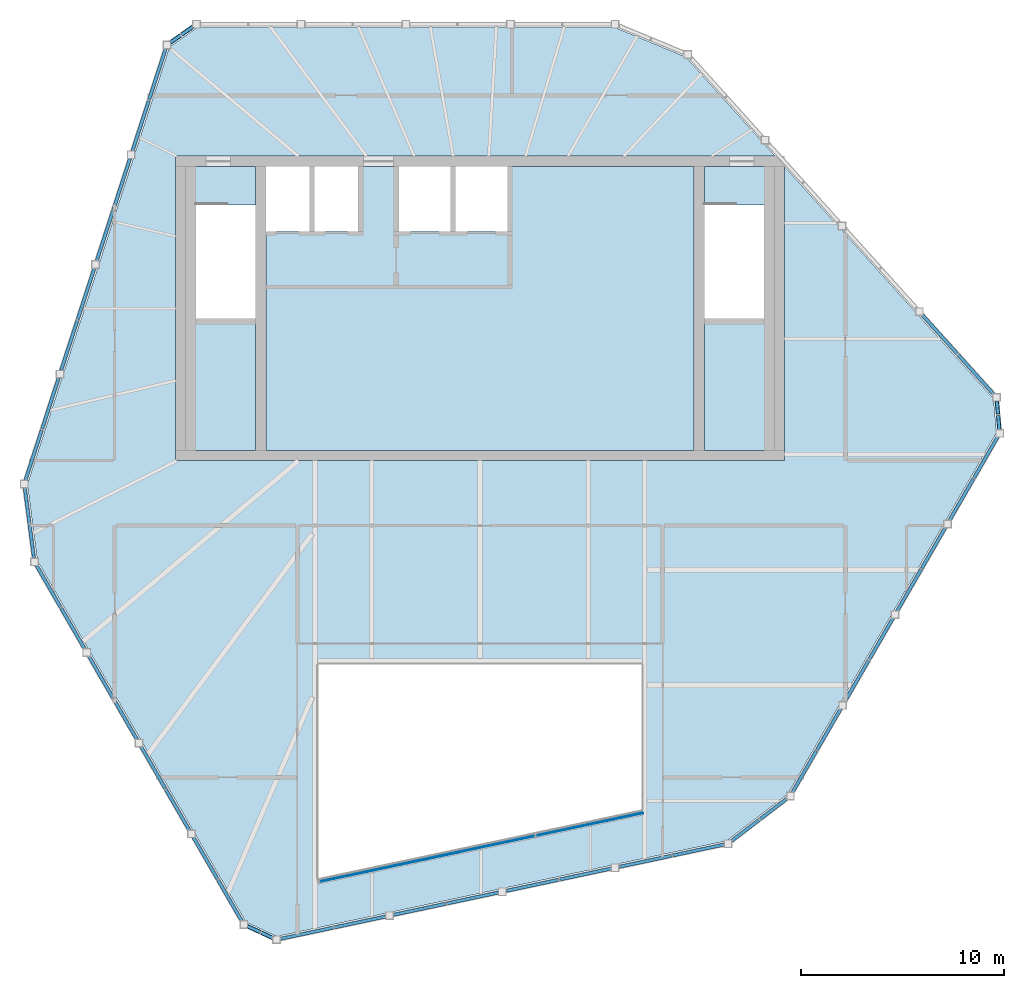
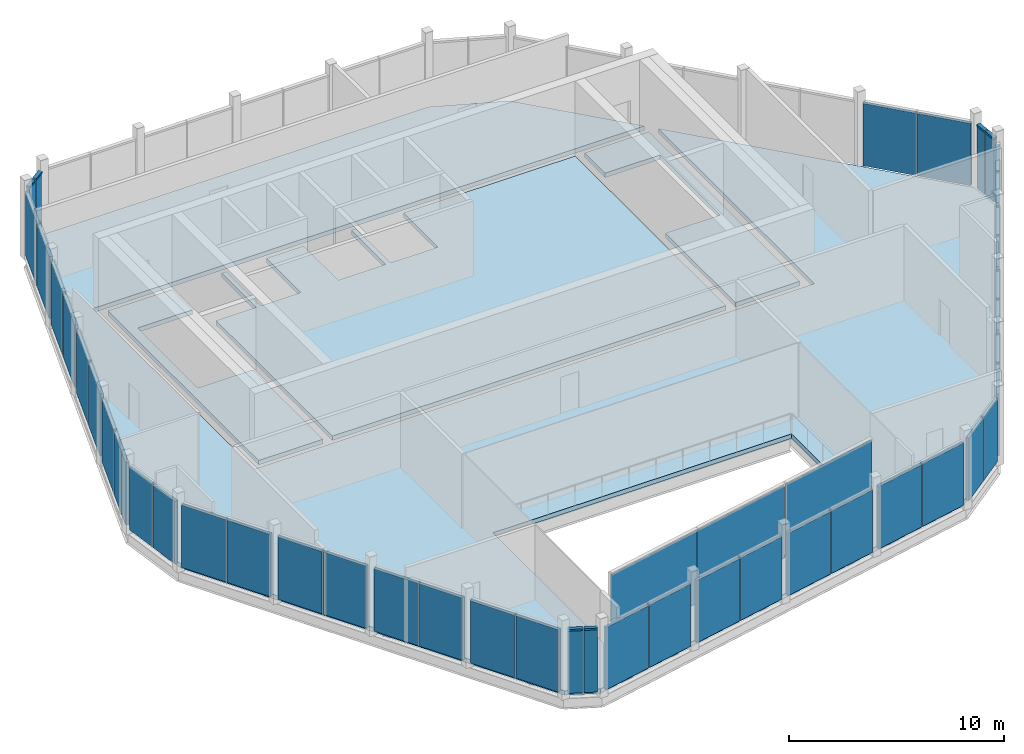
# One storey, part 7 of 10: 47 plates, 6 members, 4 slabs, 11 elements without a shape of their own.
"""IFC4 building model written with IfcOpenShell, lengths in metres."""

from ifc_helpers import new_model, si_unit, direction, frame, origin, origin_2d, place, context, subcontext, project, spatial, polyline, rectangle, outline, extrude, material, layer, layer_set, material_profile, profile_set, type_object, element, aggregate, save


model = new_model("IFC4")

# Units and contexts
model_context = context("Model", 3, precision=1e-05, world=origin(), true_north=direction((0.0, 1.0)))
body_context = subcontext(model_context, "Body", "Model", "MODEL_VIEW")
ifc_project = project(units=[si_unit("LENGTHUNIT", "METRE"), si_unit("AREAUNIT", "SQUARE_METRE"), si_unit("VOLUMEUNIT", "CUBIC_METRE"), si_unit("PLANEANGLEUNIT", "RADIAN"), si_unit("MASSUNIT", "GRAM", prefix="KILO")], contexts=[model_context])

# Site, building, storey
site_placement = place(None, origin())
site = spatial("IfcSite", under=ifc_project, at=site_placement, CompositionType="ELEMENT")
building_placement = place(site_placement, origin())
building = spatial("IfcBuilding", under=site, at=building_placement, Name="Isthmus Gate Tower", CompositionType="ELEMENT")
storey_placement = place(building_placement, frame((0.0, 0.0, 311.10009765625)))
storey = spatial("IfcBuildingStorey", under=building, at=storey_placement, Name="C3", CompositionType="ELEMENT", Elevation=311.10009765625)

# Curtain wall, members
ifc_material_1 = material(Name="Aluminium, pale champagne anodised", Category="aluminium")
ifc_layer_1 = layer(ifc_material_1, 0.199951171875)
ifc_layer_set_1 = layer_set([ifc_layer_1], Name="CW-2 LOUVRE CURTAIN WALL 200 DEEP")
curtain_wall_type_1 = type_object("IfcCurtainWallType", Name="CW-2 LOUVRE CURTAIN WALL 200 DEEP", PredefinedType="NOTDEFINED", material=ifc_layer_set_1)
curtain_wall_1_placement = place(storey_placement, origin())
curtain_wall_1 = element("IfcCurtainWall", 1, at=curtain_wall_1_placement, inside=storey, type_object=curtain_wall_type_1, Name="CW-2 E01 C3", PredefinedType="NOTDEFINED")
ifc_material_2 = material(Name="Aluminium, pale champagne anodised", Category="aluminium")
ifc_material_profile = material_profile(ifc_material_2, rectangle(XDim=0.199951171875, YDim=0.10009765625, at=origin_2d()), Name="200x100")
ifc_profile_set = profile_set([ifc_material_profile], Name="Aluminium, pale champagne anodised")
member_type = type_object("IfcMemberType", Name="CW-2 TRANSOM 200 X 100", PredefinedType="USERDEFINED", material=ifc_profile_set)
member_1_placement = place(storey_placement, frame((-14.135498046875, 21.383056640625, 3.583984375), z_axis=(-0.818010863048, -0.575202771148, 0.0), x_axis=(0.575202771148, -0.818010863048, 0.0)))
member_1 = element("IfcMember", 2, at=member_1_placement, type_object=member_type, Name="CW-2 transom", ObjectType="TRANSOM", PredefinedType="USERDEFINED", context=body_context, shape_type="SweptSolid", body=[
    extrude(rectangle(XDim=0.199951171875, YDim=0.10009765625, at=origin_2d()), origin(), (0.0, 0.0, 1.0), 0.686767578125),
])
member_2_placement = place(storey_placement, frame((-14.74609375, 20.953369140625, 3.583984375), z_axis=(-0.817948972464, -0.575290777299, 0.0), x_axis=(0.575290777299, -0.817948972464, 0.0)))
member_2 = element("IfcMember", 3, at=member_2_placement, type_object=member_type, Name="CW-2 transom", ObjectType="TRANSOM", PredefinedType="USERDEFINED", context=body_context, shape_type="SweptSolid", body=[
    extrude(rectangle(XDim=0.199951171875, YDim=0.10009765625, at=origin_2d()), origin(), (0.0, 0.0, 1.0), 0.626708984375),
])

curtain_wall_2_placement = place(storey_placement, origin())
curtain_wall_2 = element("IfcCurtainWall", 4, at=curtain_wall_2_placement, inside=storey, type_object=curtain_wall_type_1, Name="CW-2 E05 C3", PredefinedType="NOTDEFINED")
member_3_placement = place(storey_placement, frame((-11.450439453125, -22.933349609375, 3.583984375), z_axis=(0.907198069931, -0.420703769788, 0.0), x_axis=(0.420703769788, 0.907198069931, 0.0)))
member_3 = element("IfcMember", 5, at=member_3_placement, type_object=member_type, Name="CW-2 transom", ObjectType="TRANSOM", PredefinedType="USERDEFINED", context=body_context, shape_type="SweptSolid", body=[
    extrude(rectangle(XDim=0.199951171875, YDim=0.10009765625, at=origin_2d()), origin(), (0.0, 0.0, 1.0), 0.6865234375),
])
member_4_placement = place(storey_placement, frame((-10.773193359375, -23.247314453125, 3.583984375), z_axis=(0.90720547109, -0.420687809694, 0.0), x_axis=(0.420687809694, 0.90720547109, 0.0)))
member_4 = element("IfcMember", 6, at=member_4_placement, type_object=member_type, Name="CW-2 transom", ObjectType="TRANSOM", PredefinedType="USERDEFINED", context=body_context, shape_type="SweptSolid", body=[
    extrude(rectangle(XDim=0.199951171875, YDim=0.10009765625, at=origin_2d()), origin(), (0.0, 0.0, 1.0), 0.626708984375),
])

curtain_wall_3_placement = place(storey_placement, origin())
curtain_wall_3 = element("IfcCurtainWall", 7, at=curtain_wall_3_placement, inside=storey, type_object=curtain_wall_type_1, Name="CW-2 E09 C3", PredefinedType="NOTDEFINED")
member_5_placement = place(storey_placement, frame((25.5859375, 1.55029296875, 3.583984375), z_axis=(-0.089253213464, 0.996008967774, 0.0), x_axis=(-0.996008967774, -0.089253213464, 0.0)))
member_5 = element("IfcMember", 8, at=member_5_placement, type_object=member_type, Name="CW-2 transom", ObjectType="TRANSOM", PredefinedType="USERDEFINED", context=body_context, shape_type="SweptSolid", body=[
    extrude(rectangle(XDim=0.199951171875, YDim=0.10009765625, at=origin_2d()), origin(), (0.0, 0.0, 1.0), 0.6865234375),
])
member_6_placement = place(storey_placement, frame((25.519287109375, 2.2939453125, 3.583984375), z_axis=(-0.089235685941, 0.996010538275, 0.0), x_axis=(-0.996010538275, -0.089235685941, 0.0)))
member_6 = element("IfcMember", 9, at=member_6_placement, type_object=member_type, Name="CW-2 transom", ObjectType="TRANSOM", PredefinedType="USERDEFINED", context=body_context, shape_type="SweptSolid", body=[
    extrude(rectangle(XDim=0.199951171875, YDim=0.10009765625, at=origin_2d()), origin(), (0.0, 0.0, 1.0), 0.62646484375),
])

# Slabs
ifc_material_3 = material(Name="Concrete f'c 40 MPa", Category="concrete")
ifc_layer_2 = layer(ifc_material_3, 0.25)
ifc_layer_set_2 = layer_set([ifc_layer_2], Name="CORE FLOOR SLAB 250")
slab_type_1 = type_object("IfcSlabType", Name="CORE FLOOR SLAB 250", PredefinedType="FLOOR", material=ifc_layer_set_2)
slab_1_placement = place(storey_placement, frame((0.0, 0.0, -0.25)))
element("IfcSlab", 10, at=slab_1_placement, inside=storey, type_object=slab_type_1, Name="C3 core floor", PredefinedType="FLOOR", context=body_context, shape_type="SweptSolid", body=[
    extrude(outline(polyline([(-11.050048828125, 0.5), (-11.050048828125, 7.0), (-14.0, 7.0), (-14.0, 12.597900390625), (-11.050048828125, 12.597900390625), (-11.050048828125, 14.5), (-14.5, 14.5), (-14.5, 0.5), (-11.050048828125, 0.5)])), origin(), (0.0, 0.0, 1.0), 0.25),
])
slab_2_placement = place(storey_placement, frame((0.0, 0.0, -0.25)))
element("IfcSlab", 11, at=slab_2_placement, inside=storey, type_object=slab_type_1, Name="C3 core floor", PredefinedType="FLOOR", context=body_context, shape_type="SweptSolid", body=[
    extrude(outline(polyline([(10.550048828125, 14.5), (1.35009765625, 14.5), (1.35009765625, 11.300048828125), (-1.199951171875, 11.300048828125), (-1.199951171875, 14.5), (-1.449951171875, 14.5), (-1.449951171875, 11.300048828125), (-4.0, 11.300048828125), (-4.0, 14.5), (-6.0, 14.5), (-6.0, 11.300048828125), (-8.14990234375, 11.300048828125), (-8.14990234375, 14.5), (-8.39990234375, 14.5), (-8.39990234375, 11.300048828125), (-10.550048828125, 11.300048828125), (-10.550048828125, 0.5), (10.550048828125, 0.5), (10.550048828125, 14.5)])), origin(), (0.0, 0.0, 1.0), 0.25),
])
slab_3_placement = place(storey_placement, frame((0.0, 0.0, -0.25)))
element("IfcSlab", 12, at=slab_3_placement, inside=storey, type_object=slab_type_1, Name="C3 core floor", PredefinedType="FLOOR", context=body_context, shape_type="SweptSolid", body=[
    extrude(outline(polyline([(11.050048828125, 14.5), (11.050048828125, 12.597900390625), (14.0, 12.597900390625), (14.0, 7.0), (11.050048828125, 7.0), (11.050048828125, 0.5), (14.5, 0.5), (14.5, 14.5), (11.050048828125, 14.5)])), origin(), (0.0, 0.0, 1.0), 0.25),
])
ifc_material_4 = material(Name="Concrete f'c 40 MPa", Category="concrete")
ifc_layer_3 = layer(ifc_material_4, 0.25)
ifc_layer_set_3 = layer_set([ifc_layer_3], Name="CROWN PLANT FLOOR SLAB 250")
slab_type_2 = type_object("IfcSlabType", Name="CROWN PLANT FLOOR SLAB 250", PredefinedType="FLOOR", material=ifc_layer_set_3)
slab_4_placement = place(storey_placement, frame((0.0, 0.0, -0.25)))
element("IfcSlab", 13, at=slab_4_placement, inside=storey, type_object=slab_type_2, Name="str-slab-C3-1", PredefinedType="FLOOR", context=body_context, shape_type="SweptSolid", body=[
    extrude(outline(polyline([(10.1455078125, 19.88818359375), (14.546875, 15.0), (-15.0, 15.0), (-15.0, 0.0), (15.0, 0.0), (15.0, 14.496826171875), (25.30029296875, 3.05712890625), (25.45068359375, 1.381591796875), (15.174560546875, -16.416748046875), (12.15087890625, -18.73046875), (-10.00244140625, -23.439208984375), (-11.52880859375, -22.731689453125), (-21.8046875, -4.93310546875), (-22.29638671875, -1.15771484375), (-15.297607421875, 20.382080078125), (-13.921875, 21.35009765625), (6.630126953125, 21.35009765625), (10.1455078125, 19.88818359375)]), holes=[polyline([(-8.0, -20.611083984375), (8.0, -17.210205078125), (8.0, -10.0), (-8.0, -10.0), (-8.0, -20.611083984375)])]), origin(), (0.0, 0.0, 1.0), 0.25),
])

# Plate
ifc_material_5 = material(Name="Aluminium louvre blades, pale champagne anodised", Category="aluminium")
ifc_layer_4 = layer(ifc_material_5, 0.159912109375)
ifc_layer_set_4 = layer_set([ifc_layer_4], Name="CW-2 LOUVRE PANEL 160")
plate_type_1 = type_object("IfcPlateType", Name="CW-2 LOUVRE PANEL 160", PredefinedType="CURTAIN_PANEL", material=ifc_layer_set_4)
plate_1_placement = place(storey_placement, frame((-14.416259765625, 21.185546875, -0.000244140625), z_axis=(0.0, 0.0, 1.0), x_axis=(-0.81785959165, -0.57541783805, 0.0)))
plate_1 = element("IfcPlate", 14, at=plate_1_placement, type_object=plate_type_1, Name="CW-2 louvre panel", PredefinedType="CURTAIN_PANEL", context=body_context, shape_type="SweptSolid", body=[
    extrude(rectangle(XDim=0.686767578125, YDim=0.159912109375, at=origin_2d()), origin(), (0.0, 0.0, 1.0), 3.5341796875),
])

plate_2_placement = place(storey_placement, frame((-15.00244140625, 20.773193359375, -0.000244140625), z_axis=(0.0, 0.0, 1.0), x_axis=(-0.81785959165, -0.57541783805, 0.0)))
plate_2 = element("IfcPlate", 15, at=plate_2_placement, type_object=plate_type_1, Name="CW-2 louvre panel", PredefinedType="CURTAIN_PANEL", context=body_context, shape_type="SweptSolid", body=[
    extrude(rectangle(XDim=0.626708984375, YDim=0.159912109375, at=origin_2d()), origin(), (0.0, 0.0, 1.0), 3.5341796875),
])

aggregate(curtain_wall_1, [member_1, plate_1, member_2, plate_2])

# Curtain wall, plates
curtain_wall_4_placement = place(storey_placement, origin())
curtain_wall_4 = element("IfcCurtainWall", 16, at=curtain_wall_4_placement, inside=storey, type_object=curtain_wall_type_1, Name="CW-2 E02 C3", PredefinedType="NOTDEFINED")
plate_3_placement = place(storey_placement, frame((-15.895263671875, 19.028076171875, -0.000244140625), z_axis=(0.0, 0.0, 1.0), x_axis=(-0.309016994375, -0.951056516295, 0.0)))
plate_3 = element("IfcPlate", 17, at=plate_3_placement, type_object=plate_type_1, Name="CW-2 louvre panel", PredefinedType="CURTAIN_PANEL", context=body_context, shape_type="SweptSolid", body=[
    extrude(rectangle(XDim=2.638427734375, YDim=0.159912109375, at=origin_2d()), origin(), (0.0, 0.0, 1.0), 3.5341796875),
])
plate_4_placement = place(storey_placement, frame((-16.719970703125, 16.490234375, -0.000244140625), z_axis=(0.0, 0.0, 1.0), x_axis=(-0.309016994375, -0.951056516295, 0.0)))
plate_4 = element("IfcPlate", 18, at=plate_4_placement, type_object=plate_type_1, Name="CW-2 louvre panel", PredefinedType="CURTAIN_PANEL", context=body_context, shape_type="SweptSolid", body=[
    extrude(rectangle(XDim=2.578369140625, YDim=0.159912109375, at=origin_2d()), origin(), (0.0, 0.0, 1.0), 3.5341796875),
])
plate_5_placement = place(storey_placement, frame((-17.651611328125, 13.623046875, -0.000244140625), z_axis=(0.0, 0.0, 1.0), x_axis=(-0.309016994375, -0.951056516295, 0.0)))
plate_5 = element("IfcPlate", 19, at=plate_5_placement, type_object=plate_type_1, Name="CW-2 louvre panel", PredefinedType="CURTAIN_PANEL", context=body_context, shape_type="SweptSolid", body=[
    extrude(rectangle(XDim=2.638427734375, YDim=0.159912109375, at=origin_2d()), origin(), (0.0, 0.0, 1.0), 3.5341796875),
])
plate_6_placement = place(storey_placement, frame((-18.47607421875, 11.08544921875, -0.000244140625), z_axis=(0.0, 0.0, 1.0), x_axis=(-0.309016994375, -0.951056516295, 0.0)))
plate_6 = element("IfcPlate", 20, at=plate_6_placement, type_object=plate_type_1, Name="CW-2 louvre panel", PredefinedType="CURTAIN_PANEL", context=body_context, shape_type="SweptSolid", body=[
    extrude(rectangle(XDim=2.578369140625, YDim=0.159912109375, at=origin_2d()), origin(), (0.0, 0.0, 1.0), 3.5341796875),
])
plate_7_placement = place(storey_placement, frame((-19.40771484375, 8.21826171875, -0.000244140625), z_axis=(0.0, 0.0, 1.0), x_axis=(-0.309016994375, -0.951056516295, 0.0)))
plate_7 = element("IfcPlate", 21, at=plate_7_placement, type_object=plate_type_1, Name="CW-2 louvre panel", PredefinedType="CURTAIN_PANEL", context=body_context, shape_type="SweptSolid", body=[
    extrude(rectangle(XDim=2.638427734375, YDim=0.159912109375, at=origin_2d()), origin(), (0.0, 0.0, 1.0), 3.5341796875),
])
plate_8_placement = place(storey_placement, frame((-20.232177734375, 5.6806640625, -0.000244140625), z_axis=(0.0, 0.0, 1.0), x_axis=(-0.309016994375, -0.951056516295, 0.0)))
plate_8 = element("IfcPlate", 22, at=plate_8_placement, type_object=plate_type_1, Name="CW-2 louvre panel", PredefinedType="CURTAIN_PANEL", context=body_context, shape_type="SweptSolid", body=[
    extrude(rectangle(XDim=2.578369140625, YDim=0.159912109375, at=origin_2d()), origin(), (0.0, 0.0, 1.0), 3.5341796875),
])
plate_9_placement = place(storey_placement, frame((-21.163818359375, 2.8134765625, -0.000244140625), z_axis=(0.0, 0.0, 1.0), x_axis=(-0.309016994375, -0.951056516295, 0.0)))
plate_9 = element("IfcPlate", 23, at=plate_9_placement, type_object=plate_type_1, Name="CW-2 louvre panel", PredefinedType="CURTAIN_PANEL", context=body_context, shape_type="SweptSolid", body=[
    extrude(rectangle(XDim=2.638427734375, YDim=0.159912109375, at=origin_2d()), origin(), (0.0, 0.0, 1.0), 3.5341796875),
])
plate_10_placement = place(storey_placement, frame((-21.98828125, 0.275634765625, -0.000244140625), z_axis=(0.0, 0.0, 1.0), x_axis=(-0.309016994375, -0.951056516295, 0.0)))
plate_10 = element("IfcPlate", 24, at=plate_10_placement, type_object=plate_type_1, Name="CW-2 louvre panel", PredefinedType="CURTAIN_PANEL", context=body_context, shape_type="SweptSolid", body=[
    extrude(rectangle(XDim=2.578369140625, YDim=0.159912109375, at=origin_2d()), origin(), (0.0, 0.0, 1.0), 3.5341796875),
])
aggregate(curtain_wall_4, [plate_3, plate_4, plate_5, plate_6, plate_7, plate_8, plate_9, plate_10])

curtain_wall_5_placement = place(storey_placement, origin())
curtain_wall_5 = element("IfcCurtainWall", 25, at=curtain_wall_5_placement, inside=storey, type_object=curtain_wall_type_1, Name="CW-2 E03 C3", PredefinedType="NOTDEFINED")
plate_11_placement = place(storey_placement, frame((-22.3115234375, -2.2041015625, -0.000244140625), z_axis=(0.0, 0.0, 1.0), x_axis=(0.129164534, -0.991623175988, 0.0)))
plate_11 = element("IfcPlate", 26, at=plate_11_placement, type_object=plate_type_1, Name="CW-2 louvre panel", PredefinedType="CURTAIN_PANEL", context=body_context, shape_type="SweptSolid", body=[
    extrude(rectangle(XDim=1.732421875, YDim=0.159912109375, at=origin_2d()), origin(), (0.0, 0.0, 1.0), 3.5341796875),
])
plate_12_placement = place(storey_placement, frame((-22.083740234375, -3.95166015625, -0.000244140625), z_axis=(0.0, 0.0, 1.0), x_axis=(0.129164534, -0.991623175988, 0.0)))
plate_12 = element("IfcPlate", 27, at=plate_12_placement, type_object=plate_type_1, Name="CW-2 louvre panel", PredefinedType="CURTAIN_PANEL", context=body_context, shape_type="SweptSolid", body=[
    extrude(rectangle(XDim=1.67236328125, YDim=0.159912109375, at=origin_2d()), origin(), (0.0, 0.0, 1.0), 3.5341796875),
])
aggregate(curtain_wall_5, [plate_11, plate_12])

curtain_wall_6_placement = place(storey_placement, origin())
curtain_wall_6 = element("IfcCurtainWall", 28, at=curtain_wall_6_placement, inside=storey, type_object=curtain_wall_type_1, Name="CW-2 E04 C3", PredefinedType="NOTDEFINED")
plate_13_placement = place(storey_placement, frame((-21.254150390625, -6.186767578125, -0.000244140625), z_axis=(0.0, 0.0, 1.0), x_axis=(0.5, -0.866025403784, 0.0)))
plate_13 = element("IfcPlate", 29, at=plate_13_placement, type_object=plate_type_1, Name="CW-2 louvre panel", PredefinedType="CURTAIN_PANEL", context=body_context, shape_type="SweptSolid", body=[
    extrude(rectangle(XDim=2.37548828125, YDim=0.159912109375, at=origin_2d()), origin(), (0.0, 0.0, 1.0), 3.5341796875),
])
plate_14_placement = place(storey_placement, frame((-20.05126953125, -8.27001953125, -0.000244140625), z_axis=(0.0, 0.0, 1.0), x_axis=(0.5, -0.866025403784, 0.0)))
plate_14 = element("IfcPlate", 30, at=plate_14_placement, type_object=plate_type_1, Name="CW-2 louvre panel", PredefinedType="CURTAIN_PANEL", context=body_context, shape_type="SweptSolid", body=[
    extrude(rectangle(XDim=2.3154296875, YDim=0.159912109375, at=origin_2d()), origin(), (0.0, 0.0, 1.0), 3.5341796875),
])
plate_15_placement = place(storey_placement, frame((-18.67529296875, -10.6533203125, -0.000244140625), z_axis=(0.0, 0.0, 1.0), x_axis=(0.5, -0.866025403784, 0.0)))
plate_15 = element("IfcPlate", 31, at=plate_15_placement, type_object=plate_type_1, Name="CW-2 louvre panel", PredefinedType="CURTAIN_PANEL", context=body_context, shape_type="SweptSolid", body=[
    extrude(rectangle(XDim=2.37548828125, YDim=0.159912109375, at=origin_2d()), origin(), (0.0, 0.0, 1.0), 3.5341796875),
])
plate_16_placement = place(storey_placement, frame((-17.47265625, -12.736328125, -0.000244140625), z_axis=(0.0, 0.0, 1.0), x_axis=(0.5, -0.866025403784, 0.0)))
plate_16 = element("IfcPlate", 32, at=plate_16_placement, type_object=plate_type_1, Name="CW-2 louvre panel", PredefinedType="CURTAIN_PANEL", context=body_context, shape_type="SweptSolid", body=[
    extrude(rectangle(XDim=2.3154296875, YDim=0.159912109375, at=origin_2d()), origin(), (0.0, 0.0, 1.0), 3.5341796875),
])
plate_17_placement = place(storey_placement, frame((-16.0966796875, -15.11962890625, -0.000244140625), z_axis=(0.0, 0.0, 1.0), x_axis=(0.5, -0.866025403784, 0.0)))
plate_17 = element("IfcPlate", 33, at=plate_17_placement, type_object=plate_type_1, Name="CW-2 louvre panel", PredefinedType="CURTAIN_PANEL", context=body_context, shape_type="SweptSolid", body=[
    extrude(rectangle(XDim=2.37548828125, YDim=0.159912109375, at=origin_2d()), origin(), (0.0, 0.0, 1.0), 3.5341796875),
])
plate_18_placement = place(storey_placement, frame((-14.89404296875, -17.202880859375, -0.000244140625), z_axis=(0.0, 0.0, 1.0), x_axis=(0.5, -0.866025403784, 0.0)))
plate_18 = element("IfcPlate", 34, at=plate_18_placement, type_object=plate_type_1, Name="CW-2 louvre panel", PredefinedType="CURTAIN_PANEL", context=body_context, shape_type="SweptSolid", body=[
    extrude(rectangle(XDim=2.3154296875, YDim=0.159912109375, at=origin_2d()), origin(), (0.0, 0.0, 1.0), 3.5341796875),
])
plate_19_placement = place(storey_placement, frame((-13.51806640625, -19.5859375, -0.000244140625), z_axis=(0.0, 0.0, 1.0), x_axis=(0.5, -0.866025403784, 0.0)))
plate_19 = element("IfcPlate", 35, at=plate_19_placement, type_object=plate_type_1, Name="CW-2 louvre panel", PredefinedType="CURTAIN_PANEL", context=body_context, shape_type="SweptSolid", body=[
    extrude(rectangle(XDim=2.37548828125, YDim=0.159912109375, at=origin_2d()), origin(), (0.0, 0.0, 1.0), 3.5341796875),
])
plate_20_placement = place(storey_placement, frame((-12.3154296875, -21.669189453125, -0.000244140625), z_axis=(0.0, 0.0, 1.0), x_axis=(0.5, -0.866025403784, 0.0)))
plate_20 = element("IfcPlate", 36, at=plate_20_placement, type_object=plate_type_1, Name="CW-2 louvre panel", PredefinedType="CURTAIN_PANEL", context=body_context, shape_type="SweptSolid", body=[
    extrude(rectangle(XDim=2.3154296875, YDim=0.159912109375, at=origin_2d()), origin(), (0.0, 0.0, 1.0), 3.5341796875),
])
aggregate(curtain_wall_6, [plate_13, plate_14, plate_15, plate_16, plate_17, plate_18, plate_19, plate_20])

# Plate
plate_21_placement = place(storey_placement, frame((-11.138916015625, -23.07763671875, -0.000244140625), z_axis=(0.0, 0.0, 1.0), x_axis=(0.907256261367, -0.420578264073, 0.0)))
plate_21 = element("IfcPlate", 37, at=plate_21_placement, type_object=plate_type_1, Name="CW-2 louvre panel", PredefinedType="CURTAIN_PANEL", context=body_context, shape_type="SweptSolid", body=[
    extrude(rectangle(XDim=0.686767578125, YDim=0.159912109375, at=origin_2d()), origin(), (0.0, 0.0, 1.0), 3.5341796875),
])

plate_22_placement = place(storey_placement, frame((-10.48876953125, -23.379150390625, -0.000244140625), z_axis=(0.0, 0.0, 1.0), x_axis=(0.907256261367, -0.420578264073, 0.0)))
plate_22 = element("IfcPlate", 38, at=plate_22_placement, type_object=plate_type_1, Name="CW-2 louvre panel", PredefinedType="CURTAIN_PANEL", context=body_context, shape_type="SweptSolid", body=[
    extrude(rectangle(XDim=0.626708984375, YDim=0.159912109375, at=origin_2d()), origin(), (0.0, 0.0, 1.0), 3.5341796875),
])

aggregate(curtain_wall_2, [member_3, plate_21, member_4, plate_22])

# Curtain wall, plates
curtain_wall_7_placement = place(storey_placement, origin())
curtain_wall_7 = element("IfcCurtainWall", 39, at=curtain_wall_7_placement, inside=storey, type_object=curtain_wall_type_1, Name="CW-2 E06 C3", PredefinedType="NOTDEFINED")
plate_23_placement = place(storey_placement, frame((-8.531005859375, -23.27978515625, -0.000244140625), z_axis=(0.0, 0.0, 1.0), x_axis=(0.978147600734, 0.207911690818, 0.0)))
plate_23 = element("IfcPlate", 40, at=plate_23_placement, type_object=plate_type_1, Name="CW-2 louvre panel", PredefinedType="CURTAIN_PANEL", context=body_context, shape_type="SweptSolid", body=[
    extrude(rectangle(XDim=2.638427734375, YDim=0.159912109375, at=origin_2d()), origin(), (0.0, 0.0, 1.0), 3.5341796875),
])
plate_24_placement = place(storey_placement, frame((-5.921142578125, -22.72509765625, -0.000244140625), z_axis=(0.0, 0.0, 1.0), x_axis=(0.978147600734, 0.207911690818, 0.0)))
plate_24 = element("IfcPlate", 41, at=plate_24_placement, type_object=plate_type_1, Name="CW-2 louvre panel", PredefinedType="CURTAIN_PANEL", context=body_context, shape_type="SweptSolid", body=[
    extrude(rectangle(XDim=2.578369140625, YDim=0.159912109375, at=origin_2d()), origin(), (0.0, 0.0, 1.0), 3.5341796875),
])
plate_25_placement = place(storey_placement, frame((-2.97216796875, -22.09814453125, -0.000244140625), z_axis=(0.0, 0.0, 1.0), x_axis=(0.978147600734, 0.207911690818, 0.0)))
plate_25 = element("IfcPlate", 42, at=plate_25_placement, type_object=plate_type_1, Name="CW-2 louvre panel", PredefinedType="CURTAIN_PANEL", context=body_context, shape_type="SweptSolid", body=[
    extrude(rectangle(XDim=2.638427734375, YDim=0.159912109375, at=origin_2d()), origin(), (0.0, 0.0, 1.0), 3.5341796875),
])
plate_26_placement = place(storey_placement, frame((-0.3623046875, -21.54345703125, -0.000244140625), z_axis=(0.0, 0.0, 1.0), x_axis=(0.978147600734, 0.207911690818, 0.0)))
plate_26 = element("IfcPlate", 43, at=plate_26_placement, type_object=plate_type_1, Name="CW-2 louvre panel", PredefinedType="CURTAIN_PANEL", context=body_context, shape_type="SweptSolid", body=[
    extrude(rectangle(XDim=2.578369140625, YDim=0.159912109375, at=origin_2d()), origin(), (0.0, 0.0, 1.0), 3.5341796875),
])
plate_27_placement = place(storey_placement, frame((2.586669921875, -20.916748046875, -0.000244140625), z_axis=(0.0, 0.0, 1.0), x_axis=(0.978147600734, 0.207911690818, 0.0)))
plate_27 = element("IfcPlate", 44, at=plate_27_placement, type_object=plate_type_1, Name="CW-2 louvre panel", PredefinedType="CURTAIN_PANEL", context=body_context, shape_type="SweptSolid", body=[
    extrude(rectangle(XDim=2.638427734375, YDim=0.159912109375, at=origin_2d()), origin(), (0.0, 0.0, 1.0), 3.5341796875),
])
plate_28_placement = place(storey_placement, frame((5.196533203125, -20.36181640625, -0.000244140625), z_axis=(0.0, 0.0, 1.0), x_axis=(0.978147600734, 0.207911690818, 0.0)))
plate_28 = element("IfcPlate", 45, at=plate_28_placement, type_object=plate_type_1, Name="CW-2 louvre panel", PredefinedType="CURTAIN_PANEL", context=body_context, shape_type="SweptSolid", body=[
    extrude(rectangle(XDim=2.578369140625, YDim=0.159912109375, at=origin_2d()), origin(), (0.0, 0.0, 1.0), 3.5341796875),
])
plate_29_placement = place(storey_placement, frame((8.1455078125, -19.735107421875, -0.000244140625), z_axis=(0.0, 0.0, 1.0), x_axis=(0.978147600734, 0.207911690818, 0.0)))
plate_29 = element("IfcPlate", 46, at=plate_29_placement, type_object=plate_type_1, Name="CW-2 louvre panel", PredefinedType="CURTAIN_PANEL", context=body_context, shape_type="SweptSolid", body=[
    extrude(rectangle(XDim=2.638427734375, YDim=0.159912109375, at=origin_2d()), origin(), (0.0, 0.0, 1.0), 3.5341796875),
])
plate_30_placement = place(storey_placement, frame((10.75537109375, -19.180419921875, -0.000244140625), z_axis=(0.0, 0.0, 1.0), x_axis=(0.978147600734, 0.207911690818, 0.0)))
plate_30 = element("IfcPlate", 47, at=plate_30_placement, type_object=plate_type_1, Name="CW-2 louvre panel", PredefinedType="CURTAIN_PANEL", context=body_context, shape_type="SweptSolid", body=[
    extrude(rectangle(XDim=2.578369140625, YDim=0.159912109375, at=origin_2d()), origin(), (0.0, 0.0, 1.0), 3.5341796875),
])
aggregate(curtain_wall_7, [plate_23, plate_24, plate_25, plate_26, plate_27, plate_28, plate_29, plate_30])

curtain_wall_8_placement = place(storey_placement, origin())
curtain_wall_8 = element("IfcCurtainWall", 48, at=curtain_wall_8_placement, inside=storey, type_object=curtain_wall_type_1, Name="CW-2 E07 C3", PredefinedType="NOTDEFINED")
plate_31_placement = place(storey_placement, frame((13.064453125, -18.22021484375, -0.000244140625), z_axis=(0.0, 0.0, 1.0), x_axis=(0.794188594387, 0.607671355706, 0.0)))
plate_31 = element("IfcPlate", 49, at=plate_31_placement, type_object=plate_type_1, Name="CW-2 louvre panel", PredefinedType="CURTAIN_PANEL", context=body_context, shape_type="SweptSolid", body=[
    extrude(rectangle(XDim=1.732421875, YDim=0.159912109375, at=origin_2d()), origin(), (0.0, 0.0, 1.0), 3.5341796875),
])
plate_32_placement = place(storey_placement, frame((14.464111328125, -17.1494140625, -0.000244140625), z_axis=(0.0, 0.0, 1.0), x_axis=(0.794188594387, 0.607671355706, 0.0)))
plate_32 = element("IfcPlate", 50, at=plate_32_placement, type_object=plate_type_1, Name="CW-2 louvre panel", PredefinedType="CURTAIN_PANEL", context=body_context, shape_type="SweptSolid", body=[
    extrude(rectangle(XDim=1.67236328125, YDim=0.159912109375, at=origin_2d()), origin(), (0.0, 0.0, 1.0), 3.5341796875),
])
aggregate(curtain_wall_8, [plate_31, plate_32])

curtain_wall_9_placement = place(storey_placement, origin())
curtain_wall_9 = element("IfcCurtainWall", 51, at=curtain_wall_9_placement, inside=storey, type_object=curtain_wall_type_1, Name="CW-2 E08 C3", PredefinedType="NOTDEFINED")
plate_33_placement = place(storey_placement, frame((15.985107421875, -15.313232421875, -0.000244140625), z_axis=(0.0, 0.0, 1.0), x_axis=(0.5, 0.866025403784, 0.0)))
plate_33 = element("IfcPlate", 52, at=plate_33_placement, type_object=plate_type_1, Name="CW-2 louvre panel", PredefinedType="CURTAIN_PANEL", context=body_context, shape_type="SweptSolid", body=[
    extrude(rectangle(XDim=2.37548828125, YDim=0.159912109375, at=origin_2d()), origin(), (0.0, 0.0, 1.0), 3.5341796875),
])
plate_34_placement = place(storey_placement, frame((17.187744140625, -13.22998046875, -0.000244140625), z_axis=(0.0, 0.0, 1.0), x_axis=(0.5, 0.866025403784, 0.0)))
plate_34 = element("IfcPlate", 53, at=plate_34_placement, type_object=plate_type_1, Name="CW-2 louvre panel", PredefinedType="CURTAIN_PANEL", context=body_context, shape_type="SweptSolid", body=[
    extrude(rectangle(XDim=2.3154296875, YDim=0.159912109375, at=origin_2d()), origin(), (0.0, 0.0, 1.0), 3.5341796875),
])
plate_35_placement = place(storey_placement, frame((18.563720703125, -10.8466796875, -0.000244140625), z_axis=(0.0, 0.0, 1.0), x_axis=(0.5, 0.866025403784, 0.0)))
plate_35 = element("IfcPlate", 54, at=plate_35_placement, type_object=plate_type_1, Name="CW-2 louvre panel", PredefinedType="CURTAIN_PANEL", context=body_context, shape_type="SweptSolid", body=[
    extrude(rectangle(XDim=2.37548828125, YDim=0.159912109375, at=origin_2d()), origin(), (0.0, 0.0, 1.0), 3.5341796875),
])
plate_36_placement = place(storey_placement, frame((19.766357421875, -8.763671875, -0.000244140625), z_axis=(0.0, 0.0, 1.0), x_axis=(0.5, 0.866025403784, 0.0)))
plate_36 = element("IfcPlate", 55, at=plate_36_placement, type_object=plate_type_1, Name="CW-2 louvre panel", PredefinedType="CURTAIN_PANEL", context=body_context, shape_type="SweptSolid", body=[
    extrude(rectangle(XDim=2.3154296875, YDim=0.159912109375, at=origin_2d()), origin(), (0.0, 0.0, 1.0), 3.5341796875),
])
plate_37_placement = place(storey_placement, frame((21.142333984375, -6.38037109375, -0.000244140625), z_axis=(0.0, 0.0, 1.0), x_axis=(0.5, 0.866025403784, 0.0)))
plate_37 = element("IfcPlate", 56, at=plate_37_placement, type_object=plate_type_1, Name="CW-2 louvre panel", PredefinedType="CURTAIN_PANEL", context=body_context, shape_type="SweptSolid", body=[
    extrude(rectangle(XDim=2.37548828125, YDim=0.159912109375, at=origin_2d()), origin(), (0.0, 0.0, 1.0), 3.5341796875),
])
plate_38_placement = place(storey_placement, frame((22.344970703125, -4.297119140625, -0.000244140625), z_axis=(0.0, 0.0, 1.0), x_axis=(0.5, 0.866025403784, 0.0)))
plate_38 = element("IfcPlate", 57, at=plate_38_placement, type_object=plate_type_1, Name="CW-2 louvre panel", PredefinedType="CURTAIN_PANEL", context=body_context, shape_type="SweptSolid", body=[
    extrude(rectangle(XDim=2.3154296875, YDim=0.159912109375, at=origin_2d()), origin(), (0.0, 0.0, 1.0), 3.5341796875),
])
plate_39_placement = place(storey_placement, frame((23.720947265625, -1.9140625, -0.000244140625), z_axis=(0.0, 0.0, 1.0), x_axis=(0.5, 0.866025403784, 0.0)))
plate_39 = element("IfcPlate", 58, at=plate_39_placement, type_object=plate_type_1, Name="CW-2 louvre panel", PredefinedType="CURTAIN_PANEL", context=body_context, shape_type="SweptSolid", body=[
    extrude(rectangle(XDim=2.37548828125, YDim=0.159912109375, at=origin_2d()), origin(), (0.0, 0.0, 1.0), 3.5341796875),
])
plate_40_placement = place(storey_placement, frame((24.923828125, 0.169189453125, -0.000244140625), z_axis=(0.0, 0.0, 1.0), x_axis=(0.5, 0.866025403784, 0.0)))
plate_40 = element("IfcPlate", 59, at=plate_40_placement, type_object=plate_type_1, Name="CW-2 louvre panel", PredefinedType="CURTAIN_PANEL", context=body_context, shape_type="SweptSolid", body=[
    extrude(rectangle(XDim=2.3154296875, YDim=0.159912109375, at=origin_2d()), origin(), (0.0, 0.0, 1.0), 3.5341796875),
])
aggregate(curtain_wall_9, [plate_33, plate_34, plate_35, plate_36, plate_37, plate_38, plate_39, plate_40])

# Plate
plate_41_placement = place(storey_placement, frame((25.555419921875, 1.89208984375, -0.000244140625), z_axis=(0.0, 0.0, 1.0), x_axis=(-0.089396669717, 0.995996102123, 0.0)))
plate_41 = element("IfcPlate", 60, at=plate_41_placement, type_object=plate_type_1, Name="CW-2 louvre panel", PredefinedType="CURTAIN_PANEL", context=body_context, shape_type="SweptSolid", body=[
    extrude(rectangle(XDim=0.686767578125, YDim=0.159912109375, at=origin_2d()), origin(), (0.0, 0.0, 1.0), 3.5341796875),
])

plate_42_placement = place(storey_placement, frame((25.4912109375, 2.60595703125, -0.000244140625), z_axis=(0.0, 0.0, 1.0), x_axis=(-0.089396669717, 0.995996102123, 0.0)))
plate_42 = element("IfcPlate", 61, at=plate_42_placement, type_object=plate_type_1, Name="CW-2 louvre panel", PredefinedType="CURTAIN_PANEL", context=body_context, shape_type="SweptSolid", body=[
    extrude(rectangle(XDim=0.626708984375, YDim=0.159912109375, at=origin_2d()), origin(), (0.0, 0.0, 1.0), 3.5341796875),
])

aggregate(curtain_wall_3, [member_5, plate_41, member_6, plate_42])

# Curtain wall, plates
curtain_wall_10_placement = place(storey_placement, origin())
curtain_wall_10 = element("IfcCurtainWall", 62, at=curtain_wall_10_placement, inside=storey, type_object=curtain_wall_type_1, Name="CW-2 E10 C3", PredefinedType="NOTDEFINED")
plate_43_placement = place(storey_placement, frame((24.426513671875, 4.251708984375, -0.000244140625), z_axis=(0.0, 0.0, 1.0), x_axis=(-0.669130606359, 0.743144825477, 0.0)))
plate_43 = element("IfcPlate", 63, at=plate_43_placement, type_object=plate_type_1, Name="CW-2 louvre panel", PredefinedType="CURTAIN_PANEL", context=body_context, shape_type="SweptSolid", body=[
    extrude(rectangle(XDim=2.638427734375, YDim=0.159912109375, at=origin_2d()), origin(), (0.0, 0.0, 1.0), 3.5341796875),
])
plate_44_placement = place(storey_placement, frame((22.64111328125, 6.234619140625, -0.000244140625), z_axis=(0.0, 0.0, 1.0), x_axis=(-0.669130606359, 0.743144825477, 0.0)))
plate_44 = element("IfcPlate", 64, at=plate_44_placement, type_object=plate_type_1, Name="CW-2 louvre panel", PredefinedType="CURTAIN_PANEL", context=body_context, shape_type="SweptSolid", body=[
    extrude(rectangle(XDim=2.578369140625, YDim=0.159912109375, at=origin_2d()), origin(), (0.0, 0.0, 1.0), 3.5341796875),
])
aggregate(curtain_wall_10, [plate_43, plate_44])

ifc_material_6 = material(Name="Aluminium, pale champagne anodised", Category="aluminium")
ifc_layer_5 = layer(ifc_material_6, 0.199951171875)
ifc_layer_set_5 = layer_set([ifc_layer_5], Name="CW-4 ATRIUM CURTAIN WALL 200 DEEP")
curtain_wall_type_2 = type_object("IfcCurtainWallType", Name="CW-4 ATRIUM CURTAIN WALL 200 DEEP", PredefinedType="NOTDEFINED", material=ifc_layer_set_5)
curtain_wall_11_placement = place(storey_placement, origin())
curtain_wall_11 = element("IfcCurtainWall", 65, at=curtain_wall_11_placement, inside=storey, type_object=curtain_wall_type_2, Name="CW-4 atrium south C3", PredefinedType="NOTDEFINED")
ifc_material_7 = material(Name="Laminated low-iron glass, clear", Category="glass")
ifc_layer_6 = layer(ifc_material_7, 0.0439453125)
ifc_layer_set_6 = layer_set([ifc_layer_6], Name="CW-4 ATRIUM GLASS PANEL 44")
plate_type_2 = type_object("IfcPlateType", Name="CW-4 ATRIUM GLASS PANEL 44", PredefinedType="CURTAIN_PANEL", material=ifc_layer_set_6)
plate_45_placement = place(storey_placement, frame((-5.262939453125, -20.1826171875, -0.000244140625), z_axis=(0.0, 0.0, 1.0), x_axis=(0.978147600734, 0.207911690818, 0.0)))
plate_45 = element("IfcPlate", 66, at=plate_45_placement, type_object=plate_type_2, Name="CW-4 louvre panel", PredefinedType="CURTAIN_PANEL", context=body_context, shape_type="SweptSolid", body=[
    extrude(rectangle(XDim=5.37255859375, YDim=0.0439453125, at=origin_2d()), origin(), (0.0, 0.0, 1.0), 4.10009765625),
])
plate_46_placement = place(storey_placement, frame((0.03125, -19.057373046875, -0.000244140625), z_axis=(0.0, 0.0, 1.0), x_axis=(0.978147600734, 0.207911690818, 0.0)))
plate_46 = element("IfcPlate", 67, at=plate_46_placement, type_object=plate_type_2, Name="CW-4 louvre panel", PredefinedType="CURTAIN_PANEL", context=body_context, shape_type="SweptSolid", body=[
    extrude(rectangle(XDim=5.452392578125, YDim=0.0439453125, at=origin_2d()), origin(), (0.0, 0.0, 1.0), 4.10009765625),
])
plate_47_placement = place(storey_placement, frame((5.403564453125, -17.91552734375, -0.000244140625), z_axis=(0.0, 0.0, 1.0), x_axis=(0.978147600734, 0.207911690818, 0.0)))
plate_47 = element("IfcPlate", 68, at=plate_47_placement, type_object=plate_type_2, Name="CW-4 louvre panel", PredefinedType="CURTAIN_PANEL", context=body_context, shape_type="SweptSolid", body=[
    extrude(rectangle(XDim=5.37255859375, YDim=0.0439453125, at=origin_2d()), origin(), (0.0, 0.0, 1.0), 4.10009765625),
])
aggregate(curtain_wall_11, [plate_45, plate_46, plate_47])

save(model, "model.ifc")
